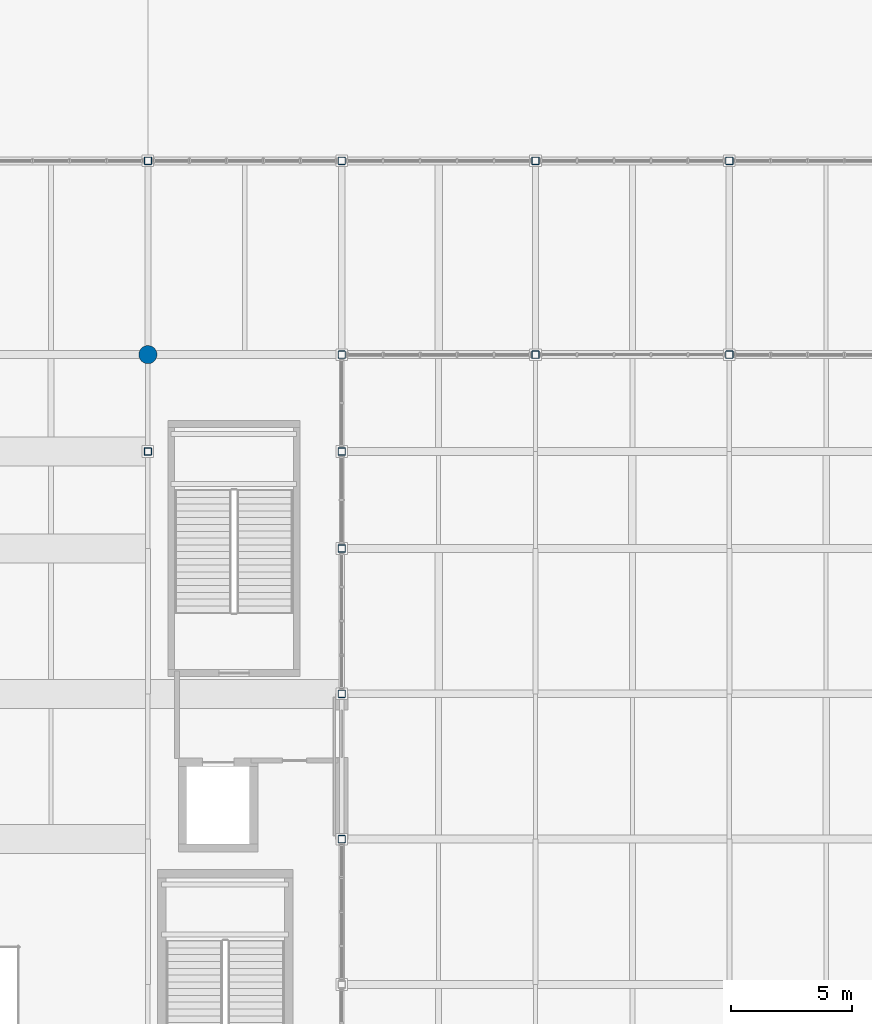
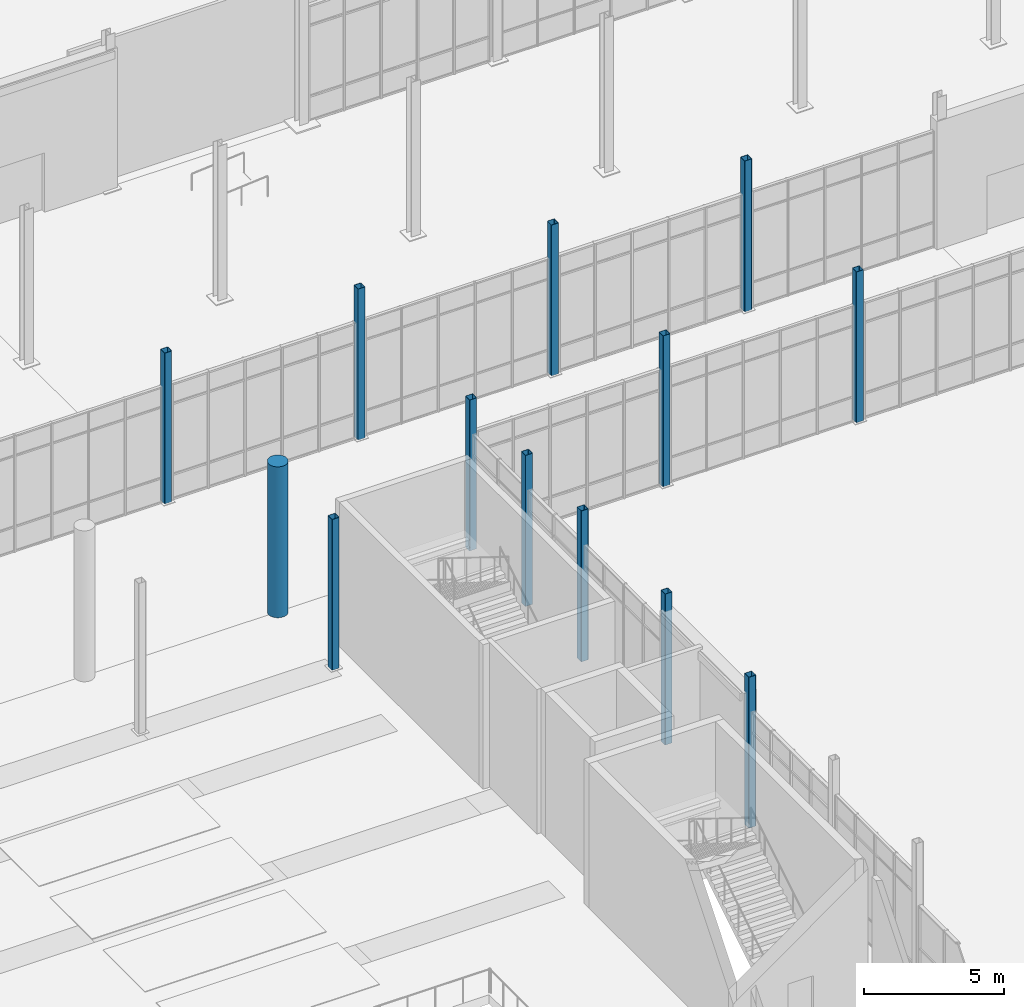
# One storey, part 8 of 140: 13 columns.
"""IFC4 building model written with IfcOpenShell, lengths in metres."""

from ifc_helpers import new_model, si_unit, direction, frame, origin, origin_2d, place, context, subcontext, project, spatial, hollow_rectangle, circle, extrude, material, material_profile, profile_set, type_object, element, save


model = new_model("IFC4")

# Units and contexts
model_context = context("Model", 3, precision=1e-05, world=origin(), true_north=direction((0.0, 1.0)))
body_context = subcontext(model_context, "Body", "Model", "MODEL_VIEW")
ifc_project = project(units=[si_unit("LENGTHUNIT", "METRE"), si_unit("AREAUNIT", "SQUARE_METRE"), si_unit("VOLUMEUNIT", "CUBIC_METRE"), si_unit("PLANEANGLEUNIT", "RADIAN"), si_unit("MASSUNIT", "GRAM", prefix="KILO")], contexts=[model_context])

# Site, building, storey
site_placement = place(None, origin())
site = spatial("IfcSite", under=ifc_project, at=site_placement, CompositionType="ELEMENT")
building_placement = place(site_placement, origin())
building = spatial("IfcBuilding", under=site, at=building_placement, Name="Verrall Gate Interchange", CompositionType="ELEMENT")
storey_placement = place(building_placement, origin())
storey = spatial("IfcBuildingStorey", under=building, at=storey_placement, Name="L01", CompositionType="ELEMENT", Elevation=0.0)

# Columns
ifc_material_1 = material(Name="Concrete CSA A23.1 40 MPa (Class N)", Category="concrete")
ifc_material_profile_1 = material_profile(ifc_material_1, circle(Radius=0.375, at=origin_2d()), Name="RC750D")
ifc_profile_set_1 = profile_set([ifc_material_profile_1], Name="Concrete CSA A23.1 40 MPa (Class N)")
column_type_1 = type_object("IfcColumnType", Name="C-07 Column RC750D", PredefinedType="COLUMN", material=ifc_profile_set_1)
column_placement = place(storey_placement, frame((100.0, 48.0, 0.0), z_axis=(0.0, 0.0, 1.0), x_axis=(1.0, 0.0, 0.0)))
element("IfcColumn", 1, at=column_placement, inside=storey, type_object=column_type_1, Name="L01 Column COL-L01-1114 (C-07)", PredefinedType="COLUMN", context=body_context, shape_type="SweptSolid", body=[
    extrude(circle(Radius=0.375, at=origin_2d()), origin(), (0.0, 0.0, 1.0), 6.60009765625),
])
ifc_material_2 = material(Name="Structural Steel CSA G40.21 350WT Cat 4", Category="steel")
ifc_material_profile_2 = material_profile(ifc_material_2, hollow_rectangle(XDim=0.304931640625, YDim=0.304931640625, WallThickness=0.0126953125, InnerFilletRadius=0.0126953125, OuterFilletRadius=0.025390625, at=origin_2d()), Name="HSS305x305x13")
ifc_profile_set_2 = profile_set([ifc_material_profile_2], Name="Structural Steel CSA G40.21 350WT Cat 4")
column_type_2 = type_object("IfcColumnType", Name="C-12 Column HSS305x305x13", PredefinedType="COLUMN", material=ifc_profile_set_2)
for number, where, z_axis, x_axis, name in (
    (2, (100.0, 44.0, 0.0), (0.0, 0.0, 1.0), (1.0, 0.0, 0.0), "L01 Column COL-L01-1110 (C-12)"),
    (3, (100.0, 56.0, 0.0), (0.0, 0.0, 1.0), (1.0, 0.0, 0.0), "L01 Column COL-L01-1118 (C-12)"),
    (4, (108.0, 28.0, 0.0), (0.0, 0.0, 1.0), (1.0, 0.0, 0.0), "L01 Column COL-L01-1144 (C-12)"),
    (5, (108.0, 34.0, 0.0), (0.0, 0.0, 1.0), (1.0, 0.0, 0.0), "L01 Column COL-L01-1148 (C-12)"),
    (6, (108.0, 40.0, 0.0), (0.0, 0.0, 1.0), (1.0, 0.0, 0.0), "L01 Column COL-L01-1152 (C-12)"),
    (7, (108.0, 44.0, 0.0), (0.0, 0.0, 1.0), (1.0, 0.0, 0.0), "L01 Column COL-L01-1156 (C-12)"),
    (8, (108.0, 48.0, 0.0), (0.0, 0.0, 1.0), (1.0, 0.0, 0.0), "L01 Column COL-L01-1160 (C-12)"),
    (9, (108.0, 56.0, 0.0), (0.0, 0.0, 1.0), (1.0, 0.0, 0.0), "L01 Column COL-L01-1164 (C-12)"),
    (10, (116.0, 48.0, 0.0), (0.0, 0.0, 1.0), (1.0, 0.0, 0.0), "L01 Column COL-L01-1182 (C-12)"),
    (11, (116.0, 56.0, 0.0), (0.0, 0.0, 1.0), (1.0, 0.0, 0.0), "L01 Column COL-L01-1186 (C-12)"),
    (12, (124.0, 48.0, 0.0), (0.0, 0.0, 1.0), (1.0, 0.0, 0.0), "L01 Column COL-L01-1204 (C-12)"),
    (13, (124.0, 56.0, 0.0), (0.0, 0.0, 1.0), (1.0, 0.0, 0.0), "L01 Column COL-L01-1208 (C-12)"),
):
    element("IfcColumn", number, at=place(storey_placement, frame(where, z_axis=z_axis, x_axis=x_axis)), inside=storey, type_object=column_type_2, Name=name, PredefinedType="COLUMN", context=body_context, shape_type="SweptSolid", body=[
        extrude(hollow_rectangle(XDim=0.304931640625, YDim=0.304931640625, WallThickness=0.0126953125, InnerFilletRadius=0.0126953125, OuterFilletRadius=0.025390625, at=origin_2d()), origin(), (0.0, 0.0, 1.0), 6.60009765625),
    ])

save(model, "model.ifc")
